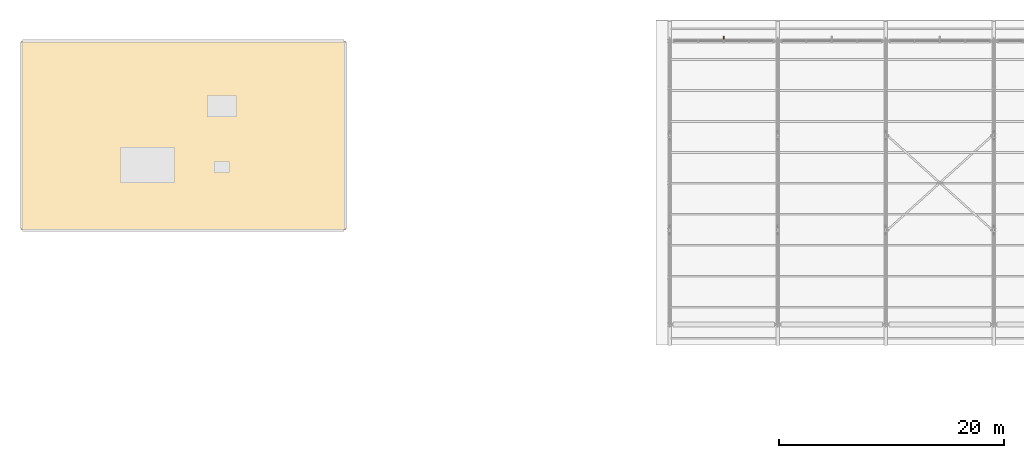
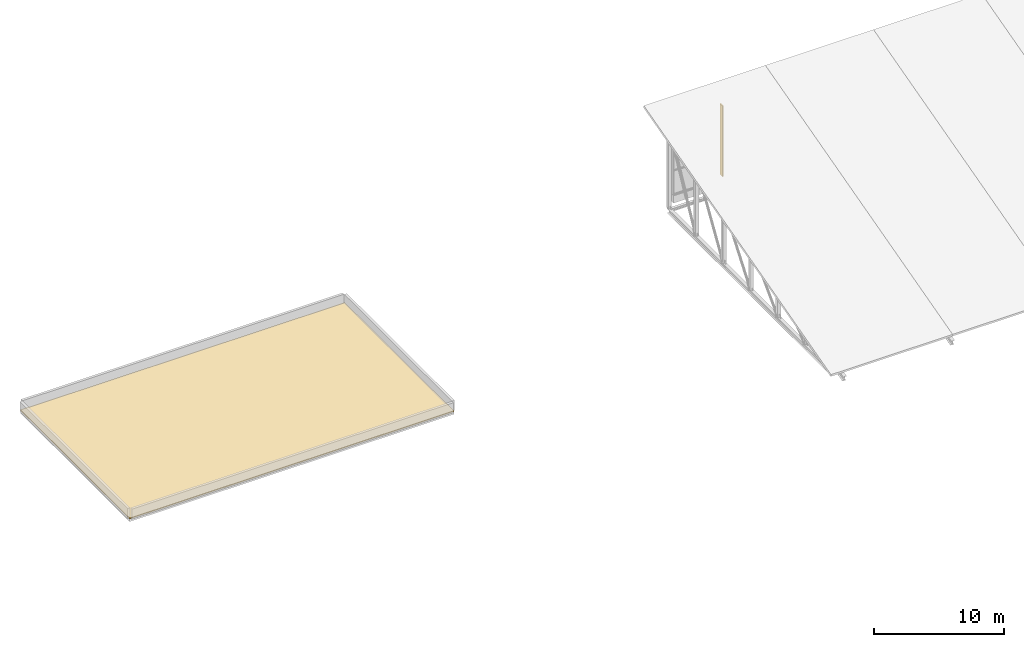
# One storey, part 33 of 37: 1 covering, 1 shading device.
"""IFC4 building model written with IfcOpenShell, lengths in metres."""

from ifc_helpers import new_model, si_unit, direction, frame, origin, origin_2d, place, context, subcontext, project, spatial, polyline, rectangle, outline, extrude, material, layer, layer_set, type_object, element, save


model = new_model("IFC4")

# Units and contexts
model_context = context("Model", 3, precision=1e-05, world=origin(), true_north=direction((0.0, 1.0)))
body_context = subcontext(model_context, "Body", "Model", "MODEL_VIEW")
ifc_project = project(units=[si_unit("LENGTHUNIT", "METRE"), si_unit("AREAUNIT", "SQUARE_METRE"), si_unit("VOLUMEUNIT", "CUBIC_METRE"), si_unit("PLANEANGLEUNIT", "RADIAN"), si_unit("MASSUNIT", "GRAM", prefix="KILO")], contexts=[model_context])

# Site, building, storey
site_placement = place(None, origin())
site = spatial("IfcSite", under=ifc_project, at=site_placement, CompositionType="ELEMENT")
building_placement = place(site_placement, origin())
building = spatial("IfcBuilding", under=site, at=building_placement, Name="Shalvenor Court Art Gallery", CompositionType="ELEMENT")
storey_placement = place(building_placement, frame((0.0, 0.0, 22.199951171875)))
storey = spatial("IfcBuildingStorey", under=building, at=storey_placement, Name="L04", CompositionType="ELEMENT", Elevation=22.199951171875)

# Covering
ifc_material_1 = material(Name="Insulated EPDM waterproof roofing membrane", Category="other")
ifc_layer = layer(ifc_material_1, 0.090087890625, Name="Insulated EPDM waterproof roofing membrane")
ifc_layer_set = layer_set([ifc_layer], Name="Insulated EPDM waterproof roofing membrane")
covering_type = type_object("IfcCoveringType", Name="RFC-01", PredefinedType="ROOFING", material=ifc_layer_set)
covering_placement = place(storey_placement, origin())
element("IfcCovering", 1, at=covering_placement, inside=storey, type_object=covering_type, Name="L04 Insulated Roof Membrane 3", PredefinedType="ROOFING", context=body_context, shape_type="SweptSolid", body=[
    extrude(outline(polyline([(28.800048828125, 105.60009765625), (28.800048828125, 122.39990234375), (0.0, 122.39990234375), (0.0, 105.60009765625), (28.800048828125, 105.60009765625)])), origin(), (0.0, 0.0, 1.0), 0.080078125),
])

# Shading device
ifc_material_2 = material(Name="Dark anodised bronze aluminium sunshade fin", Category="aluminium")
shading_device_type = type_object("IfcShadingDeviceType", Name="SHD-02", PredefinedType="USERDEFINED", material=ifc_material_2)
shading_device_placement = place(storey_placement, frame((62.39990234375, 122.6201171875, 0.10009765625), z_axis=(0.0, 0.0, 1.0), x_axis=(1.0, 0.0, 0.0)))
element("IfcShadingDevice", 2, at=shading_device_placement, inside=storey, type_object=shading_device_type, Name="L04 V2 North Light Baffle Fin 1", ObjectType="FIN", PredefinedType="USERDEFINED", context=body_context, shape_type="SweptSolid", body=[
    extrude(rectangle(XDim=0.080078125, YDim=0.39990234375, at=origin_2d()), origin(), (0.0, 0.0, 1.0), 6.64990234375),
])

save(model, "model.ifc")
